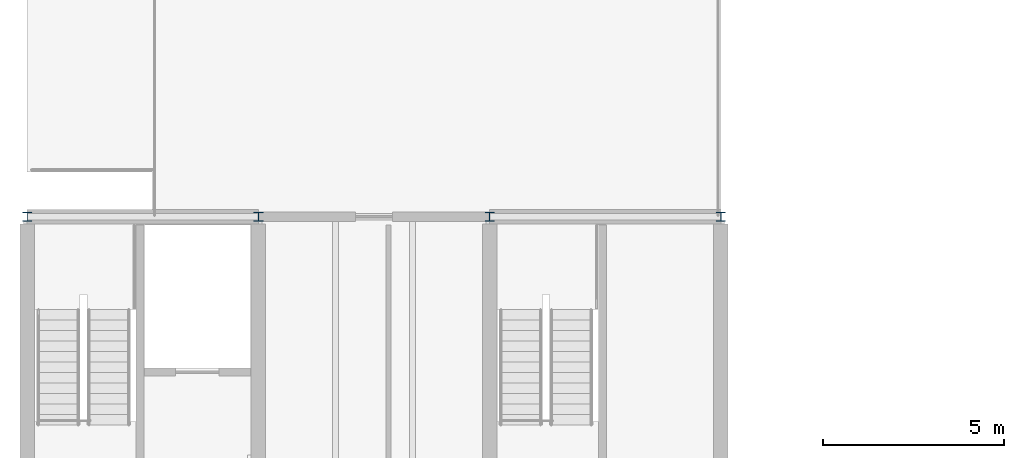
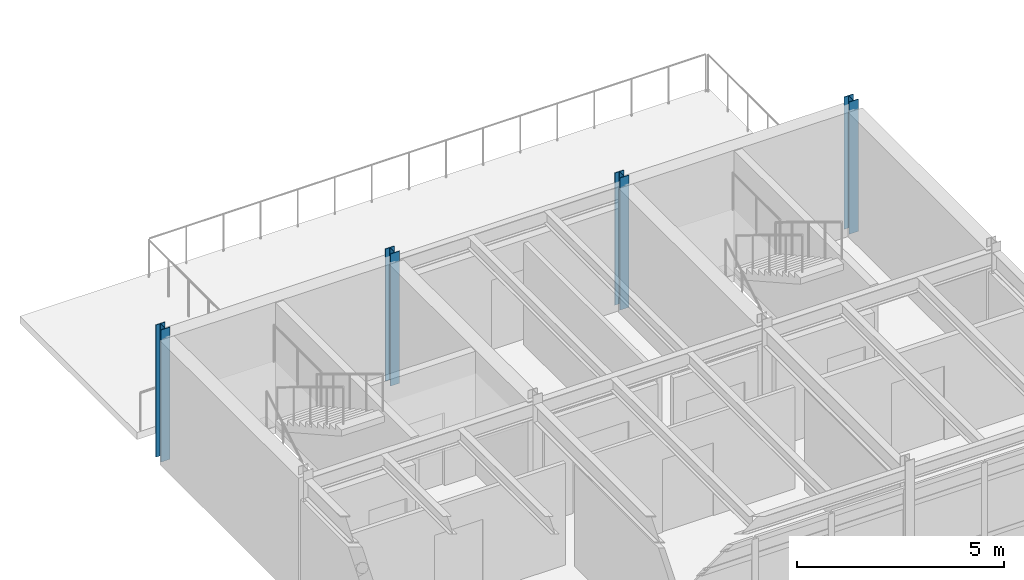
# One storey, part 4 of 20: 4 columns.
"""IFC4 building model written with IfcOpenShell, lengths in metres."""

from ifc_helpers import new_model, si_unit, direction, frame, origin, origin_2d, place, context, subcontext, project, spatial, i_section, extrude, material, material_profile, profile_set, type_object, element, save


model = new_model("IFC4")

# Units and contexts
model_context = context("Model", 3, precision=1e-05, world=origin(), true_north=direction((0.0, 1.0)))
body_context = subcontext(model_context, "Body", "Model", "MODEL_VIEW")
ifc_project = project(units=[si_unit("LENGTHUNIT", "METRE"), si_unit("AREAUNIT", "SQUARE_METRE"), si_unit("VOLUMEUNIT", "CUBIC_METRE"), si_unit("PLANEANGLEUNIT", "RADIAN"), si_unit("MASSUNIT", "GRAM", prefix="KILO")], contexts=[model_context])

# Site, building, storey
site_placement = place(None, origin())
site = spatial("IfcSite", under=ifc_project, at=site_placement, CompositionType="ELEMENT")
building_placement = place(site_placement, origin())
building = spatial("IfcBuilding", under=site, at=building_placement, Name="Trelmorton Wharf Fire Station", CompositionType="ELEMENT")
storey_placement = place(building_placement, frame((0.0, 0.0, 21.300048828125)))
storey = spatial("IfcBuildingStorey", under=building, at=storey_placement, Name="L05", CompositionType="ELEMENT", Elevation=21.300048828125)

# Columns
ifc_material = material(Name="Steel Grade 350", Category="steel")
ifc_material_profile = material_profile(ifc_material, i_section(OverallWidth=0.256103515625, OverallDepth=0.260009765625, WebThickness=0.010498046875, FlangeThickness=0.017333984375, FilletRadius=0.0126953125, at=origin_2d()), Name="250UC89.5")
ifc_profile_set = profile_set([ifc_material_profile], Name="Steel Grade 350")
column_type = type_object("IfcColumnType", Name="COL_250UC89", PredefinedType="COLUMN", material=ifc_profile_set)
for number, where, z_axis, x_axis, name in (
    (1, (70.800048828125, 74.10009765625, 0.0), (0.0, 0.0, 1.0), (1.0, 0.0, 0.0), "COL-L05-0752"),
    (2, (77.199951171875, 74.10009765625, 0.0), (0.0, 0.0, 1.0), (1.0, 0.0, 0.0), "COL-L05-0755"),
    (3, (83.60009765625, 74.10009765625, 0.0), (0.0, 0.0, 1.0), (1.0, 0.0, 0.0), "COL-L05-0758"),
    (4, (90.0, 74.10009765625, 0.0), (0.0, 0.0, 1.0), (1.0, 0.0, 0.0), "COL-L05-0761"),
):
    element("IfcColumn", number, at=place(storey_placement, frame(where, z_axis=z_axis, x_axis=x_axis)), inside=storey, type_object=column_type, Name=name, PredefinedType="COLUMN", context=body_context, shape_type="SweptSolid", body=[
        extrude(i_section(OverallWidth=0.256103515625, OverallDepth=0.260009765625, WebThickness=0.010498046875, FlangeThickness=0.017333984375, FilletRadius=0.0126953125, at=origin_2d()), origin(), (0.0, 0.0, 1.0), 3.89990234375),
    ])

save(model, "model.ifc")
